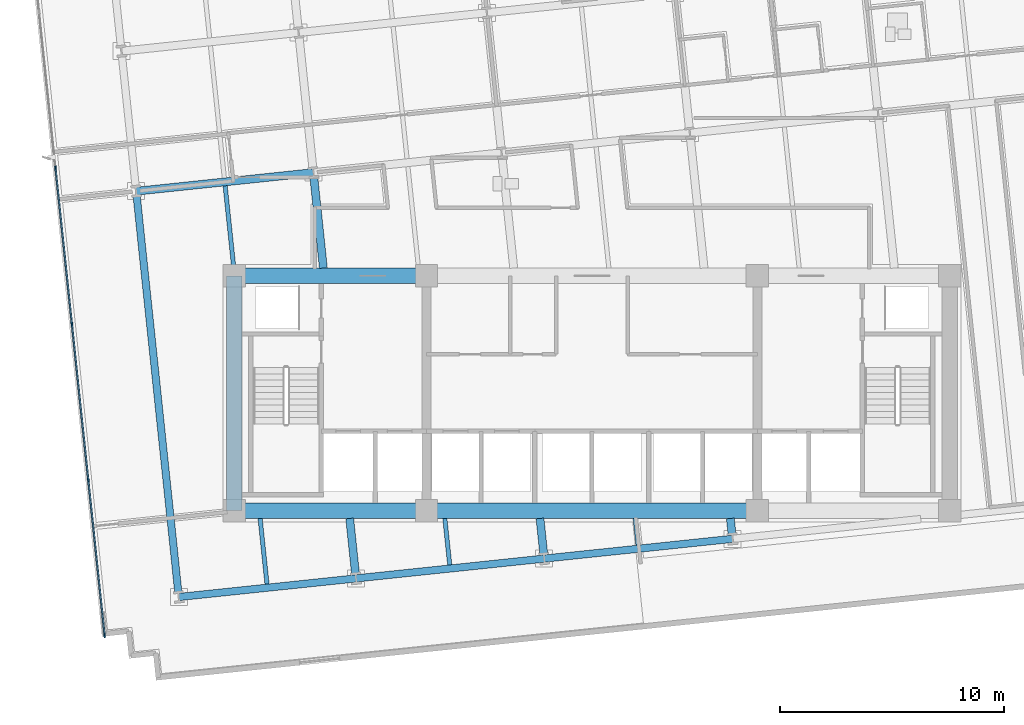
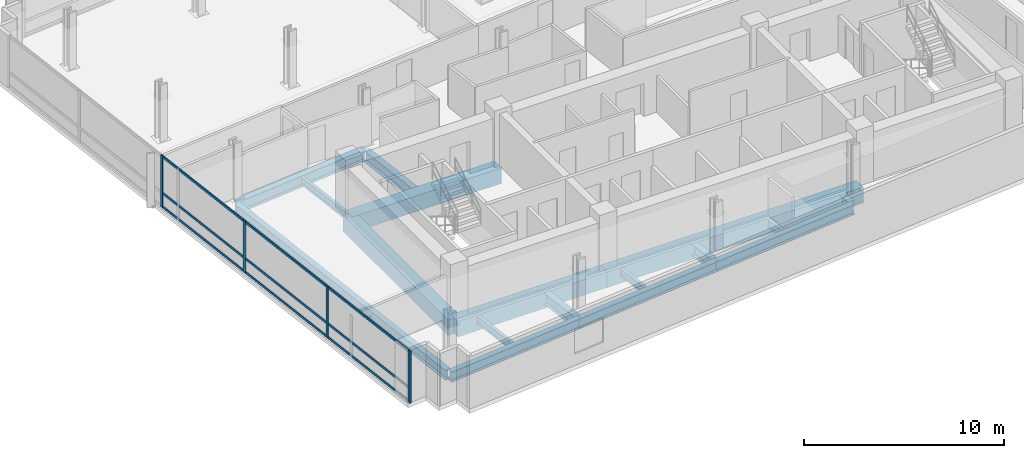
# One storey, part 2 of 17: 17 beams, 13 members, 1 element without a shape of its own.
"""IFC4 building model written with IfcOpenShell, lengths in metres."""

from ifc_helpers import new_model, si_unit, direction, frame, origin, origin_2d, place, context, subcontext, project, spatial, rectangle, i_section, extrude, material, material_profile, profile_set, type_object, element, aggregate, save


model = new_model("IFC4")

# Units and contexts
model_context = context("Model", 3, precision=1e-05, world=origin(), true_north=direction((0.0, 1.0)))
body_context = subcontext(model_context, "Body", "Model", "MODEL_VIEW")
ifc_project = project(units=[si_unit("LENGTHUNIT", "METRE"), si_unit("AREAUNIT", "SQUARE_METRE"), si_unit("VOLUMEUNIT", "CUBIC_METRE"), si_unit("PLANEANGLEUNIT", "RADIAN"), si_unit("MASSUNIT", "GRAM", prefix="KILO")], contexts=[model_context])

# Site, building, storey
site_placement = place(None, origin())
site = spatial("IfcSite", under=ifc_project, at=site_placement, CompositionType="ELEMENT")
building_placement = place(site_placement, origin())
building = spatial("IfcBuilding", under=site, at=building_placement, Name="Solmavex Isthmus Hotel", CompositionType="ELEMENT")
storey_placement = place(building_placement, frame((0.0, 0.0, 93.89990234375)))
storey = spatial("IfcBuildingStorey", under=building, at=storey_placement, Name="L25", CompositionType="ELEMENT", Elevation=93.89990234375)

# Beams
ifc_material_1 = material(Name="Steel ASTM A992 Grade 50", Category="steel")
ifc_material_profile_1 = material_profile(ifc_material_1, i_section(OverallWidth=0.354736328125, OverallDepth=0.695556640625, WebThickness=0.015380859375, FlangeThickness=0.02490234375, FilletRadius=0.017822265625, at=origin_2d()), Name="W27X146")
ifc_profile_set_1 = profile_set([ifc_material_profile_1], Name="Steel ASTM A992 Grade 50")
beam_type_1 = type_object("IfcBeamType", Name="BM-BG-W27X146", PredefinedType="BEAM", material=ifc_profile_set_1)
beam_1_placement = place(storey_placement, frame((-20.383056640625, 1.28564453125, -0.607666015625), z_axis=(0.994520217478, 0.10454442609, 0.0), x_axis=(-0.10454442609, 0.994520217478, 0.0)))
element("IfcBeam", 1, at=beam_1_placement, inside=storey, type_object=beam_type_1, Name="Floor Girder L25-UG07", PredefinedType="BEAM", context=body_context, shape_type="SweptSolid", body=[
    extrude(i_section(OverallWidth=0.354736328125, OverallDepth=0.695556640625, WebThickness=0.015380859375, FlangeThickness=0.02490234375, FilletRadius=0.017822265625, at=origin_2d()), origin(), (0.0, 0.0, 1.0), 7.968017578125),
])
beam_2_placement = place(storey_placement, frame((-10.568115234375, -15.868896484375, -0.607666015625), z_axis=(-0.104589444628, 0.994515484079, 0.0), x_axis=(-0.994515484079, -0.104589444628, 0.0)))
element("IfcBeam", 2, at=beam_2_placement, inside=storey, type_object=beam_type_1, Name="Floor Beam L25-VG28", PredefinedType="BEAM", context=body_context, shape_type="SweptSolid", body=[
    extrude(i_section(OverallWidth=0.354736328125, OverallDepth=0.695556640625, WebThickness=0.015380859375, FlangeThickness=0.02490234375, FilletRadius=0.017822265625, at=origin_2d()), origin(), (0.0, 0.0, 1.0), 2.53271484375),
])
beam_3_placement = place(storey_placement, frame((-12.010009765625, -2.14990234375, -0.607666015625), z_axis=(-0.104548881212, 0.994519749144, 0.0), x_axis=(-0.994519749144, -0.104548881212, 0.0)))
element("IfcBeam", 3, at=beam_3_placement, inside=storey, type_object=beam_type_1, Name="Floor Beam L25-VG29", PredefinedType="BEAM", context=body_context, shape_type="SweptSolid", body=[
    extrude(i_section(OverallWidth=0.354736328125, OverallDepth=0.695556640625, WebThickness=0.015380859375, FlangeThickness=0.02490234375, FilletRadius=0.017822265625, at=origin_2d()), origin(), (0.0, 0.0, 1.0), 4.114501953125),
])
beam_4_placement = place(storey_placement, frame((-2.148681640625, -14.984130859375, -0.607666015625), z_axis=(-0.104460468373, 0.99452903957, 0.0), x_axis=(-0.99452903957, -0.104460468373, 0.0)))
element("IfcBeam", 4, at=beam_4_placement, inside=storey, type_object=beam_type_1, Name="Floor Beam L25-VG32", PredefinedType="BEAM", context=body_context, shape_type="SweptSolid", body=[
    extrude(i_section(OverallWidth=0.354736328125, OverallDepth=0.695556640625, WebThickness=0.015380859375, FlangeThickness=0.02490234375, FilletRadius=0.017822265625, at=origin_2d()), origin(), (0.0, 0.0, 1.0), 1.64306640625),
])
beam_5_placement = place(storey_placement, frame((6.27099609375, -14.09912109375, -0.607666015625), z_axis=(-0.104381041728, 0.99453737895, 0.0), x_axis=(-0.99453737895, -0.104381041728, 0.0)))
element("IfcBeam", 5, at=beam_5_placement, inside=storey, type_object=beam_type_1, Name="Floor Beam L25-VG36", PredefinedType="BEAM", context=body_context, shape_type="SweptSolid", body=[
    extrude(i_section(OverallWidth=0.354736328125, OverallDepth=0.695556640625, WebThickness=0.015380859375, FlangeThickness=0.02490234375, FilletRadius=0.017822265625, at=origin_2d()), origin(), (0.0, 0.0, 1.0), 0.753173828125),
])
ifc_material_profile_2 = material_profile(ifc_material_1, i_section(OverallWidth=0.1904296875, OverallDepth=0.456787109375, WebThickness=0.009033203125, FlangeThickness=0.014404296875, FilletRadius=0.0126953125, at=origin_2d()), Name="W18X50")
ifc_profile_set_2 = profile_set([ifc_material_profile_2], Name="Steel ASTM A992 Grade 50")
beam_type_2 = type_object("IfcBeamType", Name="BM-BJ-W18X50", PredefinedType="JOIST", material=ifc_profile_set_2)
beam_6_placement = place(storey_placement, frame((-14.5302734375, -16.285400390625, -0.48828125), z_axis=(-0.104555607512, 0.994519042019, 0.0), x_axis=(-0.994519042019, -0.104555607512, 0.0)))
element("IfcBeam", 6, at=beam_6_placement, inside=storey, type_object=beam_type_2, Name="Secondary Floor Joist L25-J01", PredefinedType="JOIST", context=body_context, shape_type="SweptSolid", body=[
    extrude(i_section(OverallWidth=0.1904296875, OverallDepth=0.456787109375, WebThickness=0.009033203125, FlangeThickness=0.014404296875, FilletRadius=0.0126953125, at=origin_2d()), origin(), (0.0, 0.0, 1.0), 2.951416015625),
])
beam_7_placement = place(storey_placement, frame((-16.01611328125, -2.14990234375, -0.48828125), z_axis=(-0.104505969986, 0.99452425925, 0.0), x_axis=(-0.99452425925, -0.104505969986, 0.0)))
element("IfcBeam", 7, at=beam_7_placement, inside=storey, type_object=beam_type_2, Name="Secondary Floor Joist L25-J02", PredefinedType="JOIST", context=body_context, shape_type="SweptSolid", body=[
    extrude(i_section(OverallWidth=0.1904296875, OverallDepth=0.456787109375, WebThickness=0.009033203125, FlangeThickness=0.014404296875, FilletRadius=0.0126953125, at=origin_2d()), origin(), (0.0, 0.0, 1.0), 3.69580078125),
])
beam_8_placement = place(storey_placement, frame((-6.3583984375, -15.426513671875, -0.48828125), z_axis=(-0.104538696399, 0.99452081977, 0.0), x_axis=(-0.99452081977, -0.104538696399, 0.0)))
element("IfcBeam", 8, at=beam_8_placement, inside=storey, type_object=beam_type_2, Name="Secondary Floor Joist L25-J05", PredefinedType="JOIST", context=body_context, shape_type="SweptSolid", body=[
    extrude(i_section(OverallWidth=0.1904296875, OverallDepth=0.456787109375, WebThickness=0.009033203125, FlangeThickness=0.014404296875, FilletRadius=0.0126953125, at=origin_2d()), origin(), (0.0, 0.0, 1.0), 2.087890625),
])
beam_9_placement = place(storey_placement, frame((2.061279296875, -14.54150390625, -0.48828125), z_axis=(-0.104546872872, 0.994519960269, 0.0), x_axis=(-0.994519960269, -0.104546872872, 0.0)))
element("IfcBeam", 9, at=beam_9_placement, inside=storey, type_object=beam_type_2, Name="Secondary Floor Joist L25-J09", PredefinedType="JOIST", context=body_context, shape_type="SweptSolid", body=[
    extrude(i_section(OverallWidth=0.1904296875, OverallDepth=0.456787109375, WebThickness=0.009033203125, FlangeThickness=0.014404296875, FilletRadius=0.0126953125, at=origin_2d()), origin(), (0.0, 0.0, 1.0), 1.197998046875),
])
ifc_material_2 = material(Name="Concrete C60/75", Category="concrete")
ifc_material_profile_3 = material_profile(ifc_material_2, rectangle(XDim=0.699951171875, YDim=0.949951171875, at=origin_2d()), Name="RC700X950")
ifc_profile_set_3 = profile_set([ifc_material_profile_3], Name="Concrete C60/75")
beam_type_3 = type_object("IfcBeamType", Name="BM-CB-700X950", PredefinedType="BEAM", material=ifc_profile_set_3)
beam_10_placement = place(storey_placement, frame((-16.0, -13.0, -0.73486328125), z_axis=(1.0, 0.0, 0.0), x_axis=(0.0, 1.0, 0.0)))
element("IfcBeam", 10, at=beam_10_placement, inside=storey, type_object=beam_type_3, Name="Core Coupling Beam L25-CB1", PredefinedType="BEAM", context=body_context, shape_type="SweptSolid", body=[
    extrude(rectangle(XDim=0.699951171875, YDim=0.949951171875, at=origin_2d()), origin(), (0.0, 0.0, 1.0), 8.60009765625),
])
beam_11_placement = place(storey_placement, frame((-7.39990234375, -13.0, -0.73486328125), z_axis=(1.0, 0.0, 0.0), x_axis=(0.0, 1.0, 0.0)))
element("IfcBeam", 11, at=beam_11_placement, inside=storey, type_object=beam_type_3, Name="Core Coupling Beam L25-CB2", PredefinedType="BEAM", context=body_context, shape_type="SweptSolid", body=[
    extrude(rectangle(XDim=0.699951171875, YDim=0.949951171875, at=origin_2d()), origin(), (0.0, 0.0, 1.0), 14.7998046875),
])
beam_12_placement = place(storey_placement, frame((-16.0, -2.5, -0.73486328125), z_axis=(1.0, 0.0, 0.0), x_axis=(0.0, 1.0, 0.0)))
element("IfcBeam", 12, at=beam_12_placement, inside=storey, type_object=beam_type_3, Name="Core Coupling Beam L25-CB4", PredefinedType="BEAM", context=body_context, shape_type="SweptSolid", body=[
    extrude(rectangle(XDim=0.699951171875, YDim=0.949951171875, at=origin_2d()), origin(), (0.0, 0.0, 1.0), 8.60009765625),
])
beam_13_placement = place(storey_placement, frame((-16.0, -13.0, -0.73486328125), z_axis=(0.0, 1.0, 0.0), x_axis=(-1.0, 0.0, 0.0)))
element("IfcBeam", 13, at=beam_13_placement, inside=storey, type_object=beam_type_3, Name="Core Coupling Beam L25-CB7", PredefinedType="BEAM", context=body_context, shape_type="SweptSolid", body=[
    extrude(rectangle(XDim=0.699951171875, YDim=0.949951171875, at=origin_2d()), origin(), (0.0, 0.0, 1.0), 10.5),
])
ifc_material_profile_4 = material_profile(ifc_material_1, i_section(OverallWidth=0.326416015625, OverallDepth=0.621826171875, WebThickness=0.015380859375, FlangeThickness=0.0244140625, FilletRadius=0.01513671875, at=origin_2d()), Name="W24X131")
ifc_profile_set_4 = profile_set([ifc_material_profile_4], Name="Steel ASTM A992 Grade 50")
beam_type_4 = type_object("IfcBeamType", Name="BM-SP-W24X131", PredefinedType="SPANDREL", material=ifc_profile_set_4)
beam_14_placement = place(storey_placement, frame((-18.475341796875, -16.8642578125, -0.57080078125), z_axis=(0.994523402738, 0.104514120609, 0.0), x_axis=(-0.104514120609, 0.994523402738, 0.0)))
element("IfcBeam", 14, at=beam_14_placement, inside=storey, type_object=beam_type_4, Name="Floor Girder L25-UG01", PredefinedType="SPANDREL", context=body_context, shape_type="SweptSolid", body=[
    extrude(i_section(OverallWidth=0.326416015625, OverallDepth=0.621826171875, WebThickness=0.015380859375, FlangeThickness=0.0244140625, FilletRadius=0.01513671875, at=origin_2d()), origin(), (0.0, 0.0, 1.0), 7.968017578125),
])
beam_15_placement = place(storey_placement, frame((-10.551025390625, -16.031494140625, -0.57080078125), z_axis=(0.994520770064, 0.104539169271, 0.0), x_axis=(-0.104539169271, 0.994520770064, 0.0)))
element("IfcBeam", 15, at=beam_15_placement, inside=storey, type_object=beam_type_4, Name="Floor Girder L25-UG02", PredefinedType="SPANDREL", context=body_context, shape_type="SweptSolid", body=[
    extrude(i_section(OverallWidth=0.326416015625, OverallDepth=0.621826171875, WebThickness=0.015380859375, FlangeThickness=0.0244140625, FilletRadius=0.01513671875, at=origin_2d()), origin(), (0.0, 0.0, 1.0), 8.4658203125),
])
beam_16_placement = place(storey_placement, frame((-2.131591796875, -15.146484375, -0.57080078125), z_axis=(0.994521085209, 0.104536171134, 0.0), x_axis=(-0.104536171134, 0.994521085209, 0.0)))
element("IfcBeam", 16, at=beam_16_placement, inside=storey, type_object=beam_type_4, Name="Floor Girder L25-UG03", PredefinedType="SPANDREL", context=body_context, shape_type="SweptSolid", body=[
    extrude(i_section(OverallWidth=0.326416015625, OverallDepth=0.621826171875, WebThickness=0.015380859375, FlangeThickness=0.0244140625, FilletRadius=0.01513671875, at=origin_2d()), origin(), (0.0, 0.0, 1.0), 8.466064453125),
])
beam_17_placement = place(storey_placement, frame((-18.492431640625, -16.701904296875, -0.57080078125), z_axis=(-0.104530088192, 0.99452172458, 0.0), x_axis=(-0.99452172458, -0.104530088192, 0.0)))
element("IfcBeam", 17, at=beam_17_placement, inside=storey, type_object=beam_type_4, Name="Floor Beam L25-VG25", PredefinedType="SPANDREL", context=body_context, shape_type="SweptSolid", body=[
    extrude(i_section(OverallWidth=0.326416015625, OverallDepth=0.621826171875, WebThickness=0.015380859375, FlangeThickness=0.0244140625, FilletRadius=0.01513671875, at=origin_2d()), origin(), (0.0, 0.0, 1.0), 17.909423828125),
])

# Curtain wall, members
ifc_material_3 = material(Name="Aluminium alloy 6063-T6", Category="aluminium")
curtain_wall_type = type_object("IfcCurtainWallType", Name="CW-SYS-03", PredefinedType="NOTDEFINED", material=ifc_material_3)
curtain_wall_placement = place(storey_placement, origin())
curtain_wall = element("IfcCurtainWall", 18, at=curtain_wall_placement, inside=storey, type_object=curtain_wall_type, Name="Stick Curtain Wall CWL-L25-W1", PredefinedType="NOTDEFINED")
ifc_material_profile_5 = material_profile(ifc_material_3, rectangle(XDim=0.070068359375, YDim=0.179931640625, at=origin_2d()), Name="CWM-70X180")
ifc_profile_set_5 = profile_set([ifc_material_profile_5], Name="Aluminium alloy 6063-T6")
member_type_1 = type_object("IfcMemberType", Name="CW-SYS-03-MUL", PredefinedType="MULLION", material=ifc_profile_set_5)
member_1_placement = place(storey_placement, frame((-21.793701171875, -18.585693359375, 0.0), z_axis=(0.0, 0.0, 1.0), x_axis=(-0.994521893044, -0.104528485381, 0.0)))
member_1 = element("IfcMember", 19, at=member_1_placement, type_object=member_type_1, Name="CW-03 mullion 1", PredefinedType="MULLION", context=body_context, shape_type="SweptSolid", body=[
    extrude(rectangle(XDim=0.070068359375, YDim=0.179931640625, at=origin_2d()), origin(), (0.0, 0.0, 1.0), 3.190185546875),
])
member_2_placement = place(storey_placement, frame((-22.52392578125, -11.638916015625, 0.0), z_axis=(0.0, 0.0, 1.0), x_axis=(-0.994521893044, -0.104528485381, 0.0)))
member_2 = element("IfcMember", 20, at=member_2_placement, type_object=member_type_1, Name="CW-03 mullion 2", PredefinedType="MULLION", context=body_context, shape_type="SweptSolid", body=[
    extrude(rectangle(XDim=0.070068359375, YDim=0.179931640625, at=origin_2d()), origin(), (0.0, 0.0, 1.0), 3.190185546875),
])
member_3_placement = place(storey_placement, frame((-23.257568359375, -4.6572265625, 0.0), z_axis=(0.0, 0.0, 1.0), x_axis=(-0.994521893044, -0.104528485381, 0.0)))
member_3 = element("IfcMember", 21, at=member_3_placement, type_object=member_type_1, Name="CW-03 mullion 3", PredefinedType="MULLION", context=body_context, shape_type="SweptSolid", body=[
    extrude(rectangle(XDim=0.070068359375, YDim=0.179931640625, at=origin_2d()), origin(), (0.0, 0.0, 1.0), 3.190185546875),
])
member_4_placement = place(storey_placement, frame((-23.991455078125, 2.32421875, 0.0), z_axis=(0.0, 0.0, 1.0), x_axis=(-0.994521893044, -0.104528485381, 0.0)))
member_4 = element("IfcMember", 22, at=member_4_placement, type_object=member_type_1, Name="CW-03 mullion 4", PredefinedType="MULLION", context=body_context, shape_type="SweptSolid", body=[
    extrude(rectangle(XDim=0.070068359375, YDim=0.179931640625, at=origin_2d()), origin(), (0.0, 0.0, 1.0), 3.190185546875),
])
ifc_material_profile_6 = material_profile(ifc_material_3, rectangle(XDim=0.070068359375, YDim=0.139892578125, at=origin_2d()), Name="CWT-70X140")
ifc_profile_set_6 = profile_set([ifc_material_profile_6], Name="Aluminium alloy 6063-T6")
member_type_2 = type_object("IfcMemberType", Name="CW-SYS-03-TRN", PredefinedType="USERDEFINED", material=ifc_profile_set_6)
member_5_placement = place(storey_placement, frame((-21.79736328125, -18.55078125, 0.070068359375), z_axis=(-0.104539595565, 0.994520725254, 0.0), x_axis=(-0.994520725254, -0.104539595565, 0.0)))
member_5 = element("IfcMember", 23, at=member_5_placement, type_object=member_type_2, Name="CW-03 transom 1.1", ObjectType="TRANSOM", PredefinedType="USERDEFINED", context=body_context, shape_type="SweptSolid", body=[
    extrude(rectangle(XDim=0.070068359375, YDim=0.139892578125, at=origin_2d()), origin(), (0.0, 0.0, 1.0), 6.9150390625),
])
member_6_placement = place(storey_placement, frame((-21.79736328125, -18.55078125, 0.900146484375), z_axis=(-0.104539595565, 0.994520725254, 0.0), x_axis=(-0.994520725254, -0.104539595565, 0.0)))
member_6 = element("IfcMember", 24, at=member_6_placement, type_object=member_type_2, Name="CW-03 transom 1.2", ObjectType="TRANSOM", PredefinedType="USERDEFINED", context=body_context, shape_type="SweptSolid", body=[
    extrude(rectangle(XDim=0.070068359375, YDim=0.139892578125, at=origin_2d()), origin(), (0.0, 0.0, 1.0), 6.9150390625),
])
member_7_placement = place(storey_placement, frame((-21.79736328125, -18.55078125, 3.1201171875), z_axis=(-0.104539595565, 0.994520725254, 0.0), x_axis=(-0.994520725254, -0.104539595565, 0.0)))
member_7 = element("IfcMember", 25, at=member_7_placement, type_object=member_type_2, Name="CW-03 transom 1.3", ObjectType="TRANSOM", PredefinedType="USERDEFINED", context=body_context, shape_type="SweptSolid", body=[
    extrude(rectangle(XDim=0.070068359375, YDim=0.139892578125, at=origin_2d()), origin(), (0.0, 0.0, 1.0), 6.9150390625),
])
member_8_placement = place(storey_placement, frame((-22.527587890625, -11.60400390625, 0.070068359375), z_axis=(-0.104507407784, 0.994524108163, 0.0), x_axis=(-0.994524108163, -0.104507407784, 0.0)))
member_8 = element("IfcMember", 26, at=member_8_placement, type_object=member_type_2, Name="CW-03 transom 2.1", ObjectType="TRANSOM", PredefinedType="USERDEFINED", context=body_context, shape_type="SweptSolid", body=[
    extrude(rectangle(XDim=0.070068359375, YDim=0.139892578125, at=origin_2d()), origin(), (0.0, 0.0, 1.0), 6.949951171875),
])
member_9_placement = place(storey_placement, frame((-22.527587890625, -11.60400390625, 0.900146484375), z_axis=(-0.104507407784, 0.994524108163, 0.0), x_axis=(-0.994524108163, -0.104507407784, 0.0)))
member_9 = element("IfcMember", 27, at=member_9_placement, type_object=member_type_2, Name="CW-03 transom 2.2", ObjectType="TRANSOM", PredefinedType="USERDEFINED", context=body_context, shape_type="SweptSolid", body=[
    extrude(rectangle(XDim=0.070068359375, YDim=0.139892578125, at=origin_2d()), origin(), (0.0, 0.0, 1.0), 6.949951171875),
])
member_10_placement = place(storey_placement, frame((-22.527587890625, -11.60400390625, 3.1201171875), z_axis=(-0.104507407784, 0.994524108163, 0.0), x_axis=(-0.994524108163, -0.104507407784, 0.0)))
member_10 = element("IfcMember", 28, at=member_10_placement, type_object=member_type_2, Name="CW-03 transom 2.3", ObjectType="TRANSOM", PredefinedType="USERDEFINED", context=body_context, shape_type="SweptSolid", body=[
    extrude(rectangle(XDim=0.070068359375, YDim=0.139892578125, at=origin_2d()), origin(), (0.0, 0.0, 1.0), 6.949951171875),
])
member_11_placement = place(storey_placement, frame((-23.26123046875, -4.62255859375, 0.070068359375), z_axis=(-0.104538500317, 0.994520840381, 0.0), x_axis=(-0.994520840381, -0.104538500317, 0.0)))
member_11 = element("IfcMember", 29, at=member_11_placement, type_object=member_type_2, Name="CW-03 transom 3.1", ObjectType="TRANSOM", PredefinedType="USERDEFINED", context=body_context, shape_type="SweptSolid", body=[
    extrude(rectangle(XDim=0.070068359375, YDim=0.139892578125, at=origin_2d()), origin(), (0.0, 0.0, 1.0), 6.9501953125),
])
member_12_placement = place(storey_placement, frame((-23.26123046875, -4.62255859375, 0.900146484375), z_axis=(-0.104538500317, 0.994520840381, 0.0), x_axis=(-0.994520840381, -0.104538500317, 0.0)))
member_12 = element("IfcMember", 30, at=member_12_placement, type_object=member_type_2, Name="CW-03 transom 3.2", ObjectType="TRANSOM", PredefinedType="USERDEFINED", context=body_context, shape_type="SweptSolid", body=[
    extrude(rectangle(XDim=0.070068359375, YDim=0.139892578125, at=origin_2d()), origin(), (0.0, 0.0, 1.0), 6.9501953125),
])
member_13_placement = place(storey_placement, frame((-23.26123046875, -4.62255859375, 3.1201171875), z_axis=(-0.104538500317, 0.994520840381, 0.0), x_axis=(-0.994520840381, -0.104538500317, 0.0)))
member_13 = element("IfcMember", 31, at=member_13_placement, type_object=member_type_2, Name="CW-03 transom 3.3", ObjectType="TRANSOM", PredefinedType="USERDEFINED", context=body_context, shape_type="SweptSolid", body=[
    extrude(rectangle(XDim=0.070068359375, YDim=0.139892578125, at=origin_2d()), origin(), (0.0, 0.0, 1.0), 6.9501953125),
])
aggregate(curtain_wall, [member_1, member_2, member_3, member_4, member_5, member_6, member_7, member_8, member_9, member_10, member_11, member_12, member_13])

save(model, "model.ifc")
